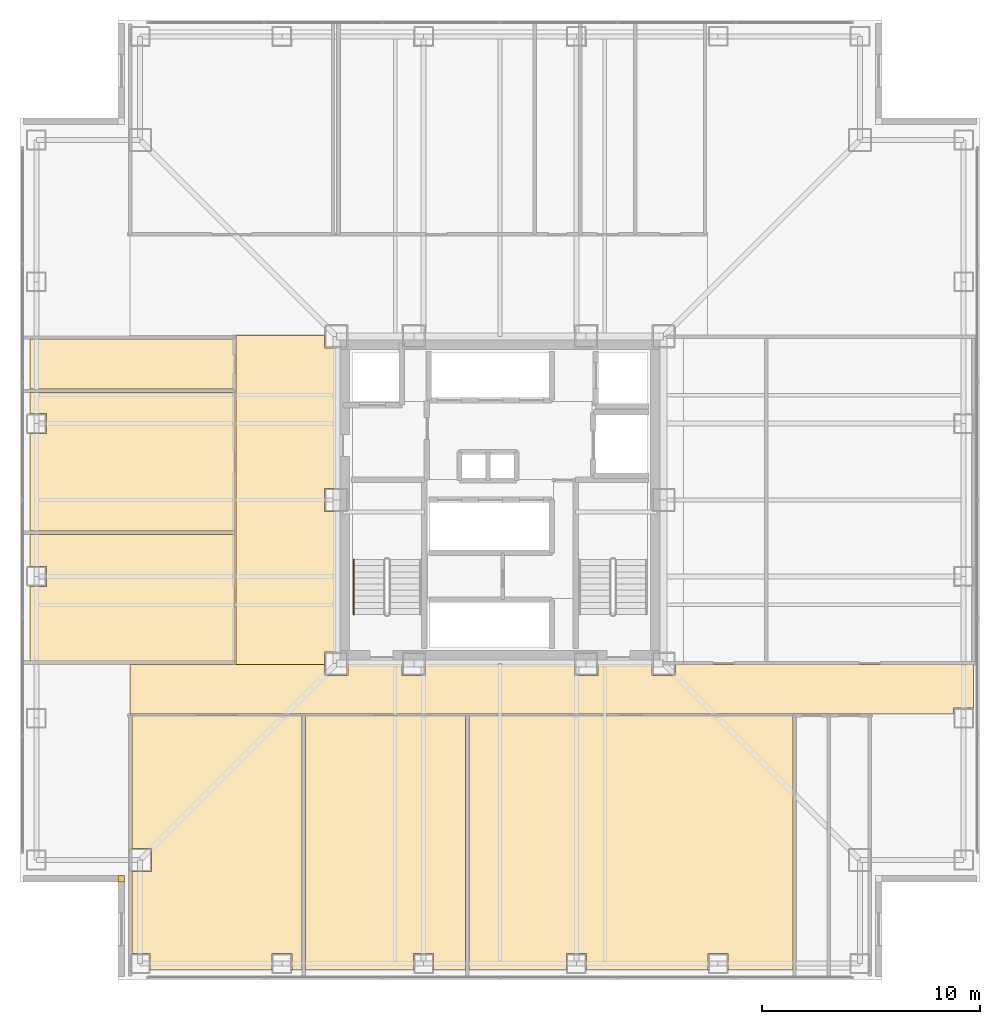
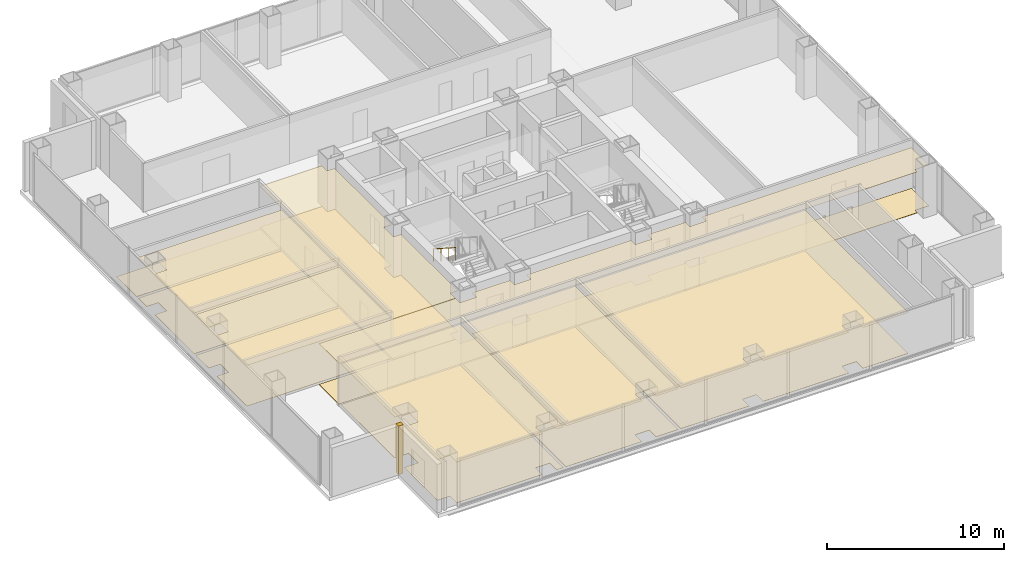
# One storey, part 12 of 14: 16 coverings, 1 railing.
"""IFC4 building model written with IfcOpenShell, lengths in metres."""

from ifc_helpers import new_model, si_unit, direction, frame, origin, origin_2d, place, context, subcontext, project, spatial, polyline, circle, outline, extrude, material, layer, layer_set, type_object, element, save


model = new_model("IFC4")

# Units and contexts
model_context = context("Model", 3, precision=1e-05, world=origin(), true_north=direction((0.0, 1.0)))
body_context = subcontext(model_context, "Body", "Model", "MODEL_VIEW")
ifc_project = project(units=[si_unit("LENGTHUNIT", "METRE"), si_unit("AREAUNIT", "SQUARE_METRE"), si_unit("VOLUMEUNIT", "CUBIC_METRE"), si_unit("PLANEANGLEUNIT", "RADIAN"), si_unit("MASSUNIT", "GRAM", prefix="KILO")], contexts=[model_context])

# Site, building, storey
site_placement = place(None, origin())
site = spatial("IfcSite", under=ifc_project, at=site_placement, CompositionType="ELEMENT")
building_placement = place(site_placement, origin())
building = spatial("IfcBuilding", under=site, at=building_placement, Name="Trevonay Congress Spire", CompositionType="ELEMENT")
storey_placement = place(building_placement, frame((0.0, 0.0, 97.60009765625)))
storey = spatial("IfcBuildingStorey", under=building, at=storey_placement, Name="L24", CompositionType="ELEMENT", Elevation=97.60009765625)

# Coverings
ifc_material_1 = material(Name="Acoustic Mineral Fibre Board", Category="gypsum")
ifc_layer_1 = layer(ifc_material_1, 0.02490234375, Name="Acoustic Mineral Fibre Board")
ifc_layer_set_1 = layer_set([ifc_layer_1], Name="Acoustic Mineral Fibre Board")
covering_type_1 = type_object("IfcCoveringType", Name="COV-CEIL-ACOUSTIC", PredefinedType="CEILING", material=ifc_layer_set_1)
covering_1_placement = place(storey_placement, frame((0.0, 0.0, 2.809814453125)))
element("IfcCovering", 1, at=covering_1_placement, inside=storey, type_object=covering_type_1, Name="L24 Congress South Spine Corridor acoustic suspended ceiling", PredefinedType="CEILING", context=body_context, shape_type="SweptSolid", body=[
    extrude(outline(polyline([(-16.949951171875, -9.800048828125), (-16.949951171875, -7.550048828125), (-8.034912109375, -7.550048828125), (-8.034912109375, -8.034912109375), (-6.965087890625, -8.034912109375), (-6.965087890625, -7.550048828125), (-4.485107421875, -7.550048828125), (-4.485107421875, -8.034912109375), (-3.4150390625, -8.034912109375), (-3.4150390625, -7.550048828125), (3.4150390625, -7.550048828125), (3.4150390625, -8.034912109375), (4.485107421875, -8.034912109375), (4.485107421875, -7.550048828125), (6.965087890625, -7.550048828125), (6.965087890625, -8.034912109375), (8.034912109375, -8.034912109375), (8.034912109375, -7.550048828125), (21.699951171875, -7.550048828125), (21.699951171875, -9.5400390625), (20.7900390625, -9.5400390625), (20.7900390625, -9.800048828125), (-16.949951171875, -9.800048828125)])), origin(), (0.0, 0.0, 1.0), 0.025146484375),
])
covering_2_placement = place(storey_placement, frame((0.0, 0.0, 2.809814453125)))
element("IfcCovering", 2, at=covering_2_placement, inside=storey, type_object=covering_type_1, Name="L24 West Sky Promenade Salon acoustic suspended ceiling", PredefinedType="CEILING", context=body_context, shape_type="SweptSolid", body=[
    extrude(outline(polyline([(-12.10009765625, 7.550048828125), (-8.034912109375, 7.550048828125), (-8.034912109375, 6.965087890625), (-7.550048828125, 6.965087890625), (-7.550048828125, 0.534912109375), (-8.034912109375, 0.534912109375), (-8.034912109375, -0.534912109375), (-7.550048828125, -0.534912109375), (-7.550048828125, -6.965087890625), (-8.034912109375, -6.965087890625), (-8.034912109375, -7.5400390625), (-12.10009765625, -7.5400390625), (-12.10009765625, 7.550048828125)])), origin(), (0.0, 0.0, 1.0), 0.025146484375),
])
covering_3_placement = place(storey_placement, frame((0.0, 0.0, 2.809814453125)))
element("IfcCovering", 3, at=covering_3_placement, inside=storey, type_object=covering_type_1, Name="L24 Commission Hearing Chamber A acoustic suspended ceiling", PredefinedType="CEILING", context=body_context, shape_type="SweptSolid", body=[
    extrude(outline(polyline([(-16.0400390625, -21.550048828125), (-16.0400390625, -20.7900390625), (-16.8701171875, -20.7900390625), (-16.8701171875, -17.034912109375), (-15.965087890625, -17.034912109375), (-15.965087890625, -15.965087890625), (-16.8701171875, -15.965087890625), (-16.8701171875, -9.8798828125), (-9.080078125, -9.8798828125), (-9.080078125, -21.550048828125), (-9.5400390625, -21.550048828125), (-9.5400390625, -20.7900390625), (-10.4599609375, -20.7900390625), (-10.4599609375, -21.550048828125), (-16.0400390625, -21.550048828125)])), origin(), (0.0, 0.0, 1.0), 0.025146484375),
])
covering_4_placement = place(storey_placement, frame((0.0, 0.0, 2.809814453125)))
element("IfcCovering", 4, at=covering_4_placement, inside=storey, type_object=covering_type_1, Name="L24 Commission Hearing Chamber B acoustic suspended ceiling", PredefinedType="CEILING", context=body_context, shape_type="SweptSolid", body=[
    extrude(outline(polyline([(-8.919921875, -21.550048828125), (-8.919921875, -9.8798828125), (-1.580078125, -9.8798828125), (-1.580078125, -21.550048828125), (-3.0400390625, -21.550048828125), (-3.0400390625, -20.7900390625), (-3.9599609375, -20.7900390625), (-3.9599609375, -21.550048828125), (-8.919921875, -21.550048828125)])), origin(), (0.0, 0.0, 1.0), 0.025146484375),
])
covering_5_placement = place(storey_placement, frame((0.0, 0.0, 2.809814453125)))
element("IfcCovering", 5, at=covering_5_placement, inside=storey, type_object=covering_type_1, Name="L24 Simultaneous Interpretation Hub acoustic suspended ceiling", PredefinedType="CEILING", context=body_context, shape_type="SweptSolid", body=[
    extrude(outline(polyline([(-1.419921875, -21.550048828125), (-1.419921875, -9.8798828125), (13.419921875, -9.8798828125), (13.419921875, -21.550048828125), (10.4599609375, -21.550048828125), (10.4599609375, -20.7900390625), (9.5400390625, -20.7900390625), (9.5400390625, -21.550048828125), (3.9599609375, -21.550048828125), (3.9599609375, -20.7900390625), (3.0400390625, -20.7900390625), (3.0400390625, -21.550048828125), (-1.419921875, -21.550048828125)])), origin(), (0.0, 0.0, 1.0), 0.025146484375),
])
covering_6_placement = place(storey_placement, frame((0.0, 0.0, 2.809814453125)))
element("IfcCovering", 6, at=covering_6_placement, inside=storey, type_object=covering_type_1, Name="L24 Delegation Caucus Room West acoustic suspended ceiling", PredefinedType="CEILING", context=body_context, shape_type="SweptSolid", body=[
    extrude(outline(polyline([(-21.550048828125, -1.580078125), (-12.179931640625, -1.580078125), (-12.179931640625, -7.3701171875), (-21.550048828125, -7.3701171875), (-21.550048828125, -3.9599609375), (-20.7900390625, -3.9599609375), (-20.7900390625, -3.0400390625), (-21.550048828125, -3.0400390625), (-21.550048828125, -1.580078125)])), origin(), (0.0, 0.0, 1.0), 0.025146484375),
])
covering_7_placement = place(storey_placement, frame((0.0, 0.0, 2.809814453125)))
element("IfcCovering", 7, at=covering_7_placement, inside=storey, type_object=covering_type_1, Name="L24 Rapporteur Drafting Office acoustic suspended ceiling", PredefinedType="CEILING", context=body_context, shape_type="SweptSolid", body=[
    extrude(outline(polyline([(-21.550048828125, 4.919921875), (-12.179931640625, 4.919921875), (-12.179931640625, -1.419921875), (-21.550048828125, -1.419921875), (-21.550048828125, 3.0400390625), (-20.7900390625, 3.0400390625), (-20.7900390625, 3.9599609375), (-21.550048828125, 3.9599609375), (-21.550048828125, 4.919921875)])), origin(), (0.0, 0.0, 1.0), 0.025146484375),
])
ifc_material_2 = material(Name="Polished Granite Floor Tile", Category="masonry")
ifc_layer_2 = layer(ifc_material_2, 0.02001953125, Name="Polished Granite Floor Tile")
ifc_layer_set_2 = layer_set([ifc_layer_2], Name="Polished Granite Floor Tile")
covering_type_2 = type_object("IfcCoveringType", Name="COV-FLOOR-STONE", PredefinedType="FLOORING", material=ifc_layer_set_2)
covering_8_placement = place(storey_placement, origin())
element("IfcCovering", 8, at=covering_8_placement, inside=storey, type_object=covering_type_2, Name="L24 Congress South Spine Corridor floor finish", PredefinedType="FLOORING", context=body_context, shape_type="SweptSolid", body=[
    extrude(outline(polyline([(-16.949951171875, -9.800048828125), (-16.949951171875, -7.550048828125), (-8.034912109375, -7.550048828125), (-8.034912109375, -8.034912109375), (-6.965087890625, -8.034912109375), (-6.965087890625, -7.550048828125), (-4.485107421875, -7.550048828125), (-4.485107421875, -8.034912109375), (-3.4150390625, -8.034912109375), (-3.4150390625, -7.550048828125), (3.4150390625, -7.550048828125), (3.4150390625, -8.034912109375), (4.485107421875, -8.034912109375), (4.485107421875, -7.550048828125), (6.965087890625, -7.550048828125), (6.965087890625, -8.034912109375), (8.034912109375, -8.034912109375), (8.034912109375, -7.550048828125), (21.699951171875, -7.550048828125), (21.699951171875, -9.5400390625), (20.7900390625, -9.5400390625), (20.7900390625, -9.800048828125), (-16.949951171875, -9.800048828125)])), origin(), (0.0, 0.0, 1.0), 0.02001953125),
])
covering_9_placement = place(storey_placement, origin())
element("IfcCovering", 9, at=covering_9_placement, inside=storey, type_object=covering_type_2, Name="L24 Male Restroom WC floor finish", PredefinedType="FLOORING", context=body_context, shape_type="SweptSolid", body=[
    extrude(outline(polyline([(-21.550048828125, 5.080078125), (-12.179931640625, 5.080078125), (-12.179931640625, 7.3701171875), (-21.550048828125, 7.3701171875), (-21.550048828125, 5.080078125)])), origin(), (0.0, 0.0, 1.0), 0.02001953125),
])
ifc_material_3 = material(Name="Engineered Oak Flooring", Category="wood")
ifc_layer_3 = layer(ifc_material_3, 0.01806640625, Name="Engineered Oak Flooring")
ifc_layer_set_3 = layer_set([ifc_layer_3], Name="Engineered Oak Flooring")
covering_type_3 = type_object("IfcCoveringType", Name="COV-FLOOR-TIMBER", PredefinedType="FLOORING", material=ifc_layer_set_3)
covering_10_placement = place(storey_placement, origin())
element("IfcCovering", 10, at=covering_10_placement, inside=storey, type_object=covering_type_3, Name="L24 West Sky Promenade Salon floor finish", PredefinedType="FLOORING", context=body_context, shape_type="SweptSolid", body=[
    extrude(outline(polyline([(-12.10009765625, 7.550048828125), (-8.034912109375, 7.550048828125), (-8.034912109375, 6.965087890625), (-7.550048828125, 6.965087890625), (-7.550048828125, 0.534912109375), (-8.034912109375, 0.534912109375), (-8.034912109375, -0.534912109375), (-7.550048828125, -0.534912109375), (-7.550048828125, -6.965087890625), (-8.034912109375, -6.965087890625), (-8.034912109375, -7.5400390625), (-12.10009765625, -7.5400390625), (-12.10009765625, 7.550048828125)])), origin(), (0.0, 0.0, 1.0), 0.017822265625),
])
covering_11_placement = place(storey_placement, origin())
element("IfcCovering", 11, at=covering_11_placement, inside=storey, type_object=covering_type_3, Name="L24 Commission Hearing Chamber A floor finish", PredefinedType="FLOORING", context=body_context, shape_type="SweptSolid", body=[
    extrude(outline(polyline([(-16.0400390625, -21.550048828125), (-16.0400390625, -20.7900390625), (-16.8701171875, -20.7900390625), (-16.8701171875, -17.034912109375), (-15.965087890625, -17.034912109375), (-15.965087890625, -15.965087890625), (-16.8701171875, -15.965087890625), (-16.8701171875, -9.8798828125), (-9.080078125, -9.8798828125), (-9.080078125, -21.550048828125), (-9.5400390625, -21.550048828125), (-9.5400390625, -20.7900390625), (-10.4599609375, -20.7900390625), (-10.4599609375, -21.550048828125), (-16.0400390625, -21.550048828125)])), origin(), (0.0, 0.0, 1.0), 0.017822265625),
])
covering_12_placement = place(storey_placement, origin())
element("IfcCovering", 12, at=covering_12_placement, inside=storey, type_object=covering_type_3, Name="L24 Commission Hearing Chamber B floor finish", PredefinedType="FLOORING", context=body_context, shape_type="SweptSolid", body=[
    extrude(outline(polyline([(-8.919921875, -21.550048828125), (-8.919921875, -9.8798828125), (-1.580078125, -9.8798828125), (-1.580078125, -21.550048828125), (-3.0400390625, -21.550048828125), (-3.0400390625, -20.7900390625), (-3.9599609375, -20.7900390625), (-3.9599609375, -21.550048828125), (-8.919921875, -21.550048828125)])), origin(), (0.0, 0.0, 1.0), 0.017822265625),
])
covering_13_placement = place(storey_placement, origin())
element("IfcCovering", 13, at=covering_13_placement, inside=storey, type_object=covering_type_3, Name="L24 Simultaneous Interpretation Hub floor finish", PredefinedType="FLOORING", context=body_context, shape_type="SweptSolid", body=[
    extrude(outline(polyline([(-1.419921875, -21.550048828125), (-1.419921875, -9.8798828125), (13.419921875, -9.8798828125), (13.419921875, -21.550048828125), (10.4599609375, -21.550048828125), (10.4599609375, -20.7900390625), (9.5400390625, -20.7900390625), (9.5400390625, -21.550048828125), (3.9599609375, -21.550048828125), (3.9599609375, -20.7900390625), (3.0400390625, -20.7900390625), (3.0400390625, -21.550048828125), (-1.419921875, -21.550048828125)])), origin(), (0.0, 0.0, 1.0), 0.017822265625),
])
covering_14_placement = place(storey_placement, origin())
element("IfcCovering", 14, at=covering_14_placement, inside=storey, type_object=covering_type_3, Name="L24 Delegation Caucus Room West floor finish", PredefinedType="FLOORING", context=body_context, shape_type="SweptSolid", body=[
    extrude(outline(polyline([(-21.550048828125, -1.580078125), (-12.179931640625, -1.580078125), (-12.179931640625, -7.3701171875), (-21.550048828125, -7.3701171875), (-21.550048828125, -3.9599609375), (-20.7900390625, -3.9599609375), (-20.7900390625, -3.0400390625), (-21.550048828125, -3.0400390625), (-21.550048828125, -1.580078125)])), origin(), (0.0, 0.0, 1.0), 0.017822265625),
])
covering_15_placement = place(storey_placement, origin())
element("IfcCovering", 15, at=covering_15_placement, inside=storey, type_object=covering_type_3, Name="L24 Rapporteur Drafting Office floor finish", PredefinedType="FLOORING", context=body_context, shape_type="SweptSolid", body=[
    extrude(outline(polyline([(-21.550048828125, 4.919921875), (-12.179931640625, 4.919921875), (-12.179931640625, -1.419921875), (-21.550048828125, -1.419921875), (-21.550048828125, 3.0400390625), (-20.7900390625, 3.0400390625), (-20.7900390625, 3.9599609375), (-21.550048828125, 3.9599609375), (-21.550048828125, 4.919921875)])), origin(), (0.0, 0.0, 1.0), 0.017822265625),
])
ifc_material_4 = material(Name="Pale Anodised Aluminium EN AW-6063-T6", Category="aluminium")
ifc_layer_4 = layer(ifc_material_4, 0.0400390625, Name="Pale Anodised Aluminium EN AW-6063-T6")
ifc_layer_set_4 = layer_set([ifc_layer_4], Name="Pale Anodised Aluminium EN AW-6063-T6")
covering_type_4 = type_object("IfcCoveringType", Name="COV-SPANDREL-PALE-METAL", PredefinedType="CLADDING", material=ifc_layer_set_4)
covering_16_placement = place(storey_placement, origin())
element("IfcCovering", 16, at=covering_16_placement, inside=storey, type_object=covering_type_4, Name="L24 SW re-entrant notch corner closure trim", PredefinedType="CLADDING", context=body_context, shape_type="SweptSolid", body=[
    extrude(outline(polyline([(-17.5, -17.5), (-17.199951171875, -17.5), (-17.199951171875, -17.199951171875), (-17.5, -17.199951171875), (-17.5, -17.5)])), origin(), (0.0, 0.0, 1.0), 3.35986328125),
])

# Railing
railing_type = type_object("IfcRailingType", Name="RAL-STAIR-HANDRAIL", PredefinedType="HANDRAIL", material=ifc_material_4)
railing_placement = place(storey_placement, frame((-6.699951171875, -2.72998046875, 1.97998046875)))
element("IfcRailing", 17, at=railing_placement, inside=storey, type_object=railing_type, Name="L24 ST-1 stair handrail 2", PredefinedType="HANDRAIL", context=body_context, shape_type="SweptSolid", body=[
    extrude(circle(Radius=0.02392578125, at=origin_2d()), frame((0.0, 0.0, 0.8759765625), z_axis=(0.0, -0.841199657755, 0.540724639528), x_axis=(1.0, 0.0, 0.0)), (0.0, 0.0, 1.0), 2.995849609375),
    extrude(circle(Radius=0.02099609375, at=origin_2d()), origin(), (0.0, 0.0, 1.0), 0.851806640625),
    extrude(circle(Radius=0.02099609375, at=origin_2d()), frame((0.0, -0.840087890625, 0.5400390625)), (0.0, 0.0, 1.0), 0.851806640625),
    extrude(circle(Radius=0.02099609375, at=origin_2d()), frame((0.0, -1.679931640625, 1.079833984375)), (0.0, 0.0, 1.0), 0.851806640625),
    extrude(circle(Radius=0.02099609375, at=origin_2d()), frame((0.0, -2.52001953125, 1.619873046875)), (0.0, 0.0, 1.0), 0.851806640625),
])

save(model, "model.ifc")
